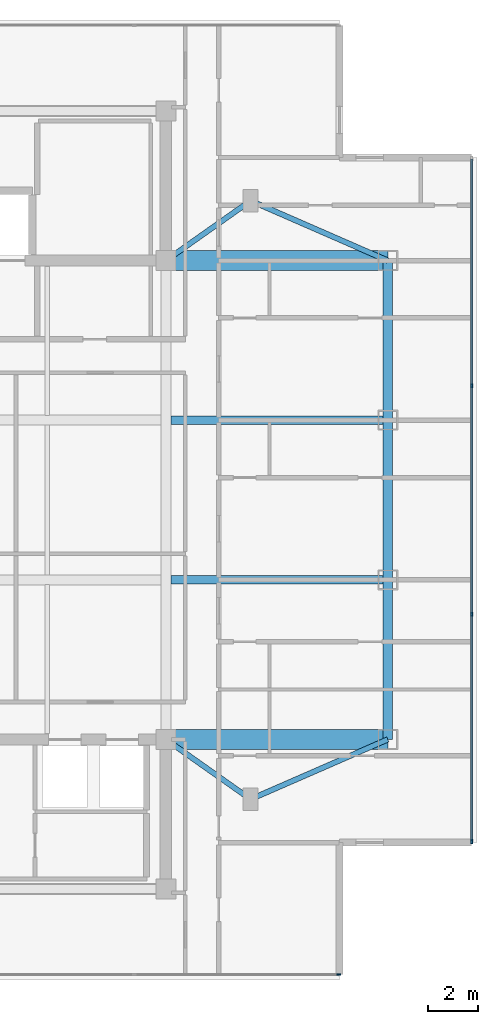
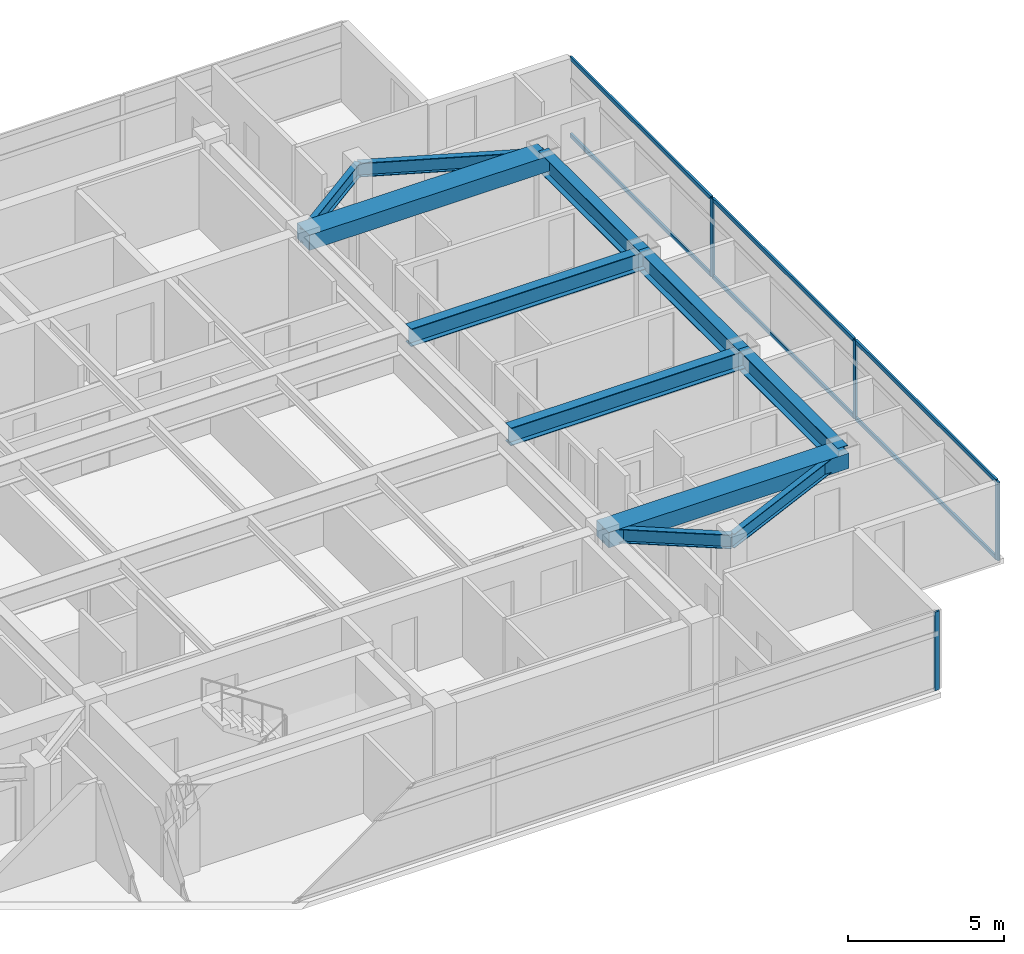
# One storey, part 4 of 14: 11 beams, 10 members, 2 elements without a shape of their own.
"""IFC4 building model written with IfcOpenShell, lengths in metres."""

from ifc_helpers import new_model, si_unit, direction, frame, origin, origin_2d, place, context, subcontext, project, spatial, rectangle, i_section, extrude, material, material_profile, profile_set, type_object, element, aggregate, save


model = new_model("IFC4")

# Units and contexts
model_context = context("Model", 3, precision=1e-05, world=origin(), true_north=direction((0.0, 1.0)))
body_context = subcontext(model_context, "Body", "Model", "MODEL_VIEW")
ifc_project = project(units=[si_unit("LENGTHUNIT", "METRE"), si_unit("AREAUNIT", "SQUARE_METRE"), si_unit("VOLUMEUNIT", "CUBIC_METRE"), si_unit("PLANEANGLEUNIT", "RADIAN"), si_unit("MASSUNIT", "GRAM", prefix="KILO")], contexts=[model_context])

# Site, building, storey
site_placement = place(None, origin())
site = spatial("IfcSite", under=ifc_project, at=site_placement, CompositionType="ELEMENT")
building_placement = place(site_placement, origin())
building = spatial("IfcBuilding", under=site, at=building_placement, Name="Mirazonda Arch Towers", CompositionType="ELEMENT")
storey_placement = place(building_placement, frame((0.0, 0.0, 239.199951171875)))
storey = spatial("IfcBuildingStorey", under=building, at=storey_placement, Name="L68", CompositionType="ELEMENT", Elevation=239.199951171875)

# Beams
ifc_material_1 = material(Name="Steel ASTM A992 Grade 50", Category="steel")
ifc_material_profile_1 = material_profile(ifc_material_1, i_section(OverallWidth=0.381103515625, OverallDepth=0.77294921875, WebThickness=0.0166015625, FlangeThickness=0.027099609375, at=origin_2d()), Name="W30X173")
ifc_profile_set_1 = profile_set([ifc_material_profile_1], Name="Steel ASTM A992 Grade 50")
beam_type_1 = type_object("IfcBeamType", Name="BM-EXT-W30X173", PredefinedType="USERDEFINED", material=ifc_profile_set_1)
beam_1_placement = place(storey_placement, frame((38.89990234375, 18.39990234375, 2.713623046875), z_axis=(0.0, 1.0, 0.0), x_axis=(-1.0, 0.0, 0.0)))
element("IfcBeam", 1, at=beam_1_placement, inside=storey, type_object=beam_type_1, Name="L68 Floor Beam BM-T1-L68-NS-E-18", ObjectType="GIRDER", PredefinedType="USERDEFINED", context=body_context, shape_type="SweptSolid", body=[
    extrude(i_section(OverallWidth=0.381103515625, OverallDepth=0.77294921875, WebThickness=0.0166015625, FlangeThickness=0.027099609375, at=origin_2d()), origin(), (0.0, 0.0, 1.0), 6.400146484375),
])
beam_2_placement = place(storey_placement, frame((38.89990234375, 24.800048828125, 2.713623046875), z_axis=(0.0, 1.0, 0.0), x_axis=(-1.0, 0.0, 0.0)))
element("IfcBeam", 2, at=beam_2_placement, inside=storey, type_object=beam_type_1, Name="L68 Floor Beam BM-T1-L68-NS-E-24", ObjectType="GIRDER", PredefinedType="USERDEFINED", context=body_context, shape_type="SweptSolid", body=[
    extrude(i_section(OverallWidth=0.381103515625, OverallDepth=0.77294921875, WebThickness=0.0166015625, FlangeThickness=0.027099609375, at=origin_2d()), origin(), (0.0, 0.0, 1.0), 6.39990234375),
])
beam_3_placement = place(storey_placement, frame((38.89990234375, 31.199951171875, 2.713623046875), z_axis=(0.0, 1.0, 0.0), x_axis=(-1.0, 0.0, 0.0)))
element("IfcBeam", 3, at=beam_3_placement, inside=storey, type_object=beam_type_1, Name="L68 Floor Beam BM-T1-L68-NS-E-31", ObjectType="GIRDER", PredefinedType="USERDEFINED", context=body_context, shape_type="SweptSolid", body=[
    extrude(i_section(OverallWidth=0.381103515625, OverallDepth=0.77294921875, WebThickness=0.0166015625, FlangeThickness=0.027099609375, at=origin_2d()), origin(), (0.0, 0.0, 1.0), 6.400146484375),
])
ifc_material_profile_2 = material_profile(ifc_material_1, i_section(OverallWidth=0.214111328125, OverallDepth=0.549072265625, WebThickness=0.0146484375, FlangeThickness=0.023681640625, at=origin_2d()), Name="W21X93")
ifc_profile_set_2 = profile_set([ifc_material_profile_2], Name="Steel ASTM A992 Grade 50")
beam_type_2 = type_object("IfcBeamType", Name="BM-INT-W21X93", PredefinedType="BEAM", material=ifc_profile_set_2)
beam_4_placement = place(storey_placement, frame((33.39990234375, 16.0, 2.825439453125), z_axis=(-0.816971114901, 0.576678591087, 0.0), x_axis=(-0.576678591087, -0.816971114901, 0.0)))
element("IfcBeam", 4, at=beam_4_placement, inside=storey, type_object=beam_type_2, Name="L68 Floor Beam BM-T1-L68-PL-SE1", PredefinedType="BEAM", context=body_context, shape_type="SweptSolid", body=[
    extrude(i_section(OverallWidth=0.214111328125, OverallDepth=0.549072265625, WebThickness=0.0146484375, FlangeThickness=0.023681640625, at=origin_2d()), origin(), (0.0, 0.0, 1.0), 4.16162109375),
])
beam_5_placement = place(storey_placement, frame((33.39990234375, 16.0, 2.825439453125), z_axis=(0.916545343703, 0.399930785183, 0.0), x_axis=(-0.399930785183, 0.916545343703, 0.0)))
element("IfcBeam", 5, at=beam_5_placement, inside=storey, type_object=beam_type_2, Name="L68 Floor Beam BM-T1-L68-PL-SE2", PredefinedType="BEAM", context=body_context, shape_type="SweptSolid", body=[
    extrude(i_section(OverallWidth=0.214111328125, OverallDepth=0.549072265625, WebThickness=0.0146484375, FlangeThickness=0.023681640625, at=origin_2d()), origin(), (0.0, 0.0, 1.0), 6.000732421875),
])
beam_6_placement = place(storey_placement, frame((33.39990234375, 40.0, 2.825439453125), z_axis=(-0.816971114901, -0.576678591087, 0.0), x_axis=(0.576678591087, -0.816971114901, 0.0)))
element("IfcBeam", 6, at=beam_6_placement, inside=storey, type_object=beam_type_2, Name="L68 Floor Beam BM-T1-L68-PL-NE1", PredefinedType="BEAM", context=body_context, shape_type="SweptSolid", body=[
    extrude(i_section(OverallWidth=0.214111328125, OverallDepth=0.549072265625, WebThickness=0.0146484375, FlangeThickness=0.023681640625, at=origin_2d()), origin(), (0.0, 0.0, 1.0), 4.16162109375),
])
beam_7_placement = place(storey_placement, frame((33.39990234375, 40.0, 2.825439453125), z_axis=(0.916545343703, -0.399930785183, 0.0), x_axis=(0.399930785183, 0.916545343703, 0.0)))
element("IfcBeam", 7, at=beam_7_placement, inside=storey, type_object=beam_type_2, Name="L68 Floor Beam BM-T1-L68-PL-NE2", PredefinedType="BEAM", context=body_context, shape_type="SweptSolid", body=[
    extrude(i_section(OverallWidth=0.214111328125, OverallDepth=0.549072265625, WebThickness=0.0146484375, FlangeThickness=0.023681640625, at=origin_2d()), origin(), (0.0, 0.0, 1.0), 6.000732421875),
])
ifc_material_profile_3 = material_profile(ifc_material_1, i_section(OverallWidth=0.35498046875, OverallDepth=0.696044921875, WebThickness=0.015380859375, FlangeThickness=0.02490234375, at=origin_2d()), Name="W27X146")
ifc_profile_set_3 = profile_set([ifc_material_profile_3], Name="Steel ASTM A992 Grade 50")
beam_type_3 = type_object("IfcBeamType", Name="BM-INT-W27X146", PredefinedType="BEAM", material=ifc_profile_set_3)
for number, where, z_axis, x_axis, name in (
    (8, (30.199951171875, 24.800048828125, 2.751953125), (1.0, 0.0, 0.0), (0.0, 1.0, 0.0), "L68 Floor Beam BM-T1-L68-GE2"),
    (9, (30.199951171875, 31.199951171875, 2.751953125), (1.0, 0.0, 0.0), (0.0, 1.0, 0.0), "L68 Floor Beam BM-T1-L68-GE3"),
):
    element("IfcBeam", number, at=place(storey_placement, frame(where, z_axis=z_axis, x_axis=x_axis)), inside=storey, type_object=beam_type_3, Name=name, PredefinedType="BEAM", context=body_context, shape_type="SweptSolid", body=[
        extrude(i_section(OverallWidth=0.35498046875, OverallDepth=0.696044921875, WebThickness=0.015380859375, FlangeThickness=0.02490234375, at=origin_2d()), origin(), (0.0, 0.0, 1.0), 8.699951171875),
    ])
ifc_material_2 = material(Name="Concrete C60/75", Category="concrete")
ifc_material_profile_4 = material_profile(ifc_material_2, rectangle(XDim=0.800048828125, YDim=0.60009765625, at=origin_2d()), Name="RCCB800x600")
ifc_profile_set_4 = profile_set([ifc_material_profile_4], Name="Concrete C60/75")
beam_type_4 = type_object("IfcBeamType", Name="CB-INT-RCCB800x600", PredefinedType="SPANDREL", material=ifc_profile_set_4)
for number, where, z_axis, x_axis, name in (
    (10, (30.0, 37.60009765625, 2.800048828125), (1.0, 0.0, 0.0), (0.0, 1.0, 0.0), "L68 Floor Beam CBC-T1-L68-NE"),
    (11, (30.0, 18.39990234375, 2.800048828125), (1.0, 0.0, 0.0), (0.0, 1.0, 0.0), "L68 Floor Beam CBC-T1-L68-SE"),
):
    element("IfcBeam", number, at=place(storey_placement, frame(where, z_axis=z_axis, x_axis=x_axis)), inside=storey, type_object=beam_type_4, Name=name, PredefinedType="SPANDREL", context=body_context, shape_type="SweptSolid", body=[
        extrude(rectangle(XDim=0.800048828125, YDim=0.60009765625, at=origin_2d()), origin(), (0.0, 0.0, 1.0), 8.89990234375),
    ])

# Curtain wall, member
ifc_material_3 = material(Name="Anodised Aluminium and Low-E Glass", Category="aluminium")
curtain_wall_type = type_object("IfcCurtainWallType", Name="CW-RES-UNIT", PredefinedType="NOTDEFINED", material=ifc_material_3)
curtain_wall_1_placement = place(storey_placement, origin())
curtain_wall_1 = element("IfcCurtainWall", 12, at=curtain_wall_1_placement, inside=storey, type_object=curtain_wall_type, Name="L68 T1 S Facade CW-L68-T1-S", PredefinedType="NOTDEFINED")
ifc_material_4 = material(Name="Anodised Aluminium Alloy", Category="aluminium")
ifc_material_profile_5 = material_profile(ifc_material_4, rectangle(XDim=0.074951171875, YDim=0.175048828125, at=origin_2d()), Name="ALU-MULL-75x175")
ifc_profile_set_5 = profile_set([ifc_material_profile_5], Name="Anodised Aluminium Alloy")
member_type_1 = type_object("IfcMemberType", Name="MULL-CW-RES-UNIT", PredefinedType="MULLION", material=ifc_profile_set_5)
member_1_placement = place(storey_placement, frame((36.9326171875, 8.971923828125, 0.0), z_axis=(0.0, 0.0, 1.0), x_axis=(0.0, -1.0, 0.0)))
member_1 = element("IfcMember", 13, at=member_1_placement, type_object=member_type_1, Name="CW-104 mullion 1", PredefinedType="MULLION", context=body_context, shape_type="SweptSolid", body=[
    extrude(rectangle(XDim=0.074951171875, YDim=0.175048828125, at=origin_2d()), origin(), (0.0, 0.0, 1.0), 3.080078125),
])
aggregate(curtain_wall_1, [member_1])

# Curtain wall, members
curtain_wall_2_placement = place(storey_placement, origin())
curtain_wall_2 = element("IfcCurtainWall", 14, at=curtain_wall_2_placement, inside=storey, type_object=curtain_wall_type, Name="L68 T1 E Facade CW-L68-T1-E", PredefinedType="NOTDEFINED")
member_2_placement = place(storey_placement, frame((42.260009765625, 14.299560546875, 0.0), z_axis=(0.0, 0.0, 1.0), x_axis=(-1.0, 0.0, 0.0)))
member_2 = element("IfcMember", 15, at=member_2_placement, type_object=member_type_1, Name="CW-104 mullion 1", PredefinedType="MULLION", context=body_context, shape_type="SweptSolid", body=[
    extrude(rectangle(XDim=0.074951171875, YDim=0.175048828125, at=origin_2d()), origin(), (0.0, 0.0, 1.0), 3.080078125),
])
member_3_placement = place(storey_placement, frame((42.260009765625, 23.420654296875, 0.0), z_axis=(0.0, 0.0, 1.0), x_axis=(-1.0, 0.0, 0.0)))
member_3 = element("IfcMember", 16, at=member_3_placement, type_object=member_type_1, Name="CW-104 mullion 2", PredefinedType="MULLION", context=body_context, shape_type="SweptSolid", body=[
    extrude(rectangle(XDim=0.074951171875, YDim=0.175048828125, at=origin_2d()), origin(), (0.0, 0.0, 1.0), 3.080078125),
])
member_4_placement = place(storey_placement, frame((42.260009765625, 32.579345703125, 0.0), z_axis=(0.0, 0.0, 1.0), x_axis=(-1.0, 0.0, 0.0)))
member_4 = element("IfcMember", 17, at=member_4_placement, type_object=member_type_1, Name="CW-104 mullion 3", PredefinedType="MULLION", context=body_context, shape_type="SweptSolid", body=[
    extrude(rectangle(XDim=0.074951171875, YDim=0.175048828125, at=origin_2d()), origin(), (0.0, 0.0, 1.0), 3.080078125),
])
ifc_material_profile_6 = material_profile(ifc_material_4, rectangle(XDim=0.074951171875, YDim=0.155029296875, at=origin_2d()), Name="ALU-TRAN-75x155")
ifc_profile_set_6 = profile_set([ifc_material_profile_6], Name="Anodised Aluminium Alloy")
member_type_2 = type_object("IfcMemberType", Name="TRAN-CW-RES-UNIT", PredefinedType="USERDEFINED", material=ifc_profile_set_6)
member_5_placement = place(storey_placement, frame((42.260009765625, 14.3369140625, 0.03759765625), z_axis=(0.0, 1.0, 0.0), x_axis=(-1.0, 0.0, 0.0)))
member_5 = element("IfcMember", 18, at=member_5_placement, type_object=member_type_2, Name="CW-104 transom 1.1", ObjectType="TRANSOM", PredefinedType="USERDEFINED", context=body_context, shape_type="SweptSolid", body=[
    extrude(rectangle(XDim=0.074951171875, YDim=0.155029296875, at=origin_2d()), origin(), (0.0, 0.0, 1.0), 9.046142578125),
])
member_6_placement = place(storey_placement, frame((42.260009765625, 14.3369140625, 3.04248046875), z_axis=(0.0, 1.0, 0.0), x_axis=(-1.0, 0.0, 0.0)))
member_6 = element("IfcMember", 19, at=member_6_placement, type_object=member_type_2, Name="CW-104 transom 1.2", ObjectType="TRANSOM", PredefinedType="USERDEFINED", context=body_context, shape_type="SweptSolid", body=[
    extrude(rectangle(XDim=0.074951171875, YDim=0.155029296875, at=origin_2d()), origin(), (0.0, 0.0, 1.0), 9.046142578125),
])
member_7_placement = place(storey_placement, frame((42.260009765625, 23.458251953125, 0.03759765625), z_axis=(0.0, 1.0, 0.0), x_axis=(-1.0, 0.0, 0.0)))
member_7 = element("IfcMember", 20, at=member_7_placement, type_object=member_type_2, Name="CW-104 transom 2.1", ObjectType="TRANSOM", PredefinedType="USERDEFINED", context=body_context, shape_type="SweptSolid", body=[
    extrude(rectangle(XDim=0.074951171875, YDim=0.155029296875, at=origin_2d()), origin(), (0.0, 0.0, 1.0), 9.08349609375),
])
member_8_placement = place(storey_placement, frame((42.260009765625, 23.458251953125, 3.04248046875), z_axis=(0.0, 1.0, 0.0), x_axis=(-1.0, 0.0, 0.0)))
member_8 = element("IfcMember", 21, at=member_8_placement, type_object=member_type_2, Name="CW-104 transom 2.2", ObjectType="TRANSOM", PredefinedType="USERDEFINED", context=body_context, shape_type="SweptSolid", body=[
    extrude(rectangle(XDim=0.074951171875, YDim=0.155029296875, at=origin_2d()), origin(), (0.0, 0.0, 1.0), 9.08349609375),
])
member_9_placement = place(storey_placement, frame((42.260009765625, 32.616943359375, 0.03759765625), z_axis=(0.0, 1.0, 0.0), x_axis=(-1.0, 0.0, 0.0)))
member_9 = element("IfcMember", 22, at=member_9_placement, type_object=member_type_2, Name="CW-104 transom 3.1", ObjectType="TRANSOM", PredefinedType="USERDEFINED", context=body_context, shape_type="SweptSolid", body=[
    extrude(rectangle(XDim=0.074951171875, YDim=0.155029296875, at=origin_2d()), origin(), (0.0, 0.0, 1.0), 9.046142578125),
])
member_10_placement = place(storey_placement, frame((42.260009765625, 32.616943359375, 3.04248046875), z_axis=(0.0, 1.0, 0.0), x_axis=(-1.0, 0.0, 0.0)))
member_10 = element("IfcMember", 23, at=member_10_placement, type_object=member_type_2, Name="CW-104 transom 3.2", ObjectType="TRANSOM", PredefinedType="USERDEFINED", context=body_context, shape_type="SweptSolid", body=[
    extrude(rectangle(XDim=0.074951171875, YDim=0.155029296875, at=origin_2d()), origin(), (0.0, 0.0, 1.0), 9.046142578125),
])
aggregate(curtain_wall_2, [member_2, member_3, member_4, member_5, member_6, member_7, member_8, member_9, member_10])

save(model, "model.ifc")
